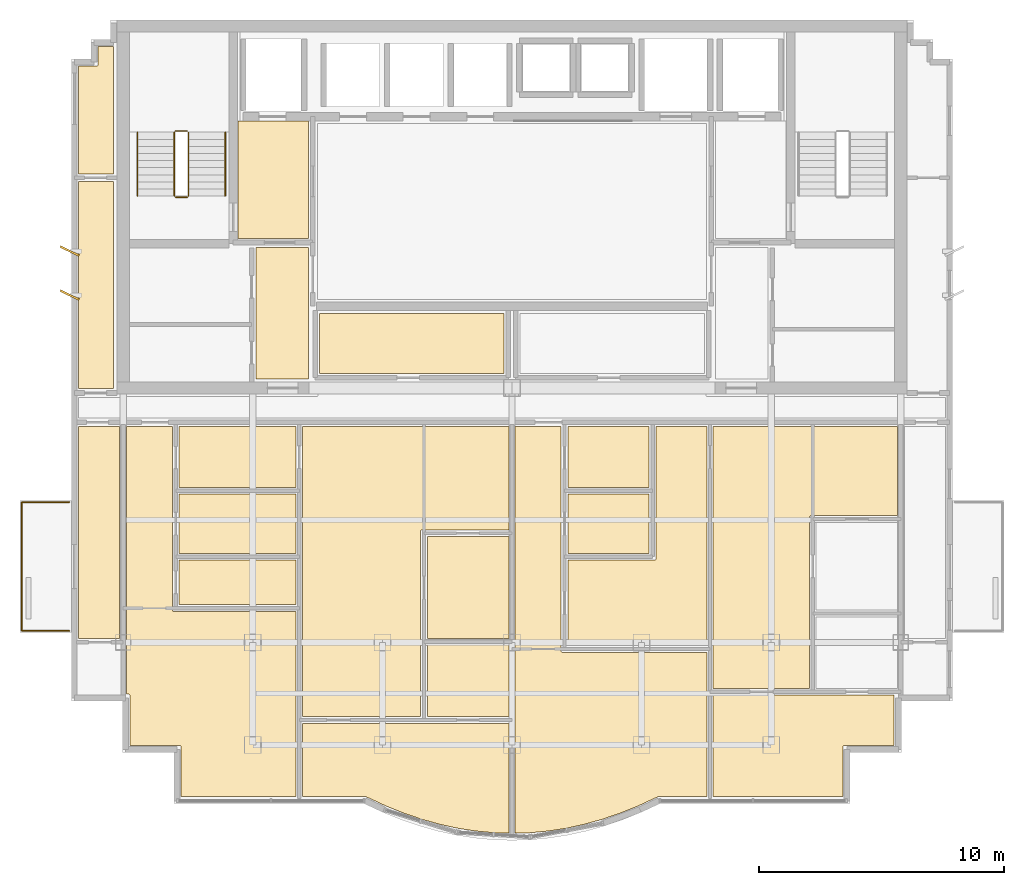
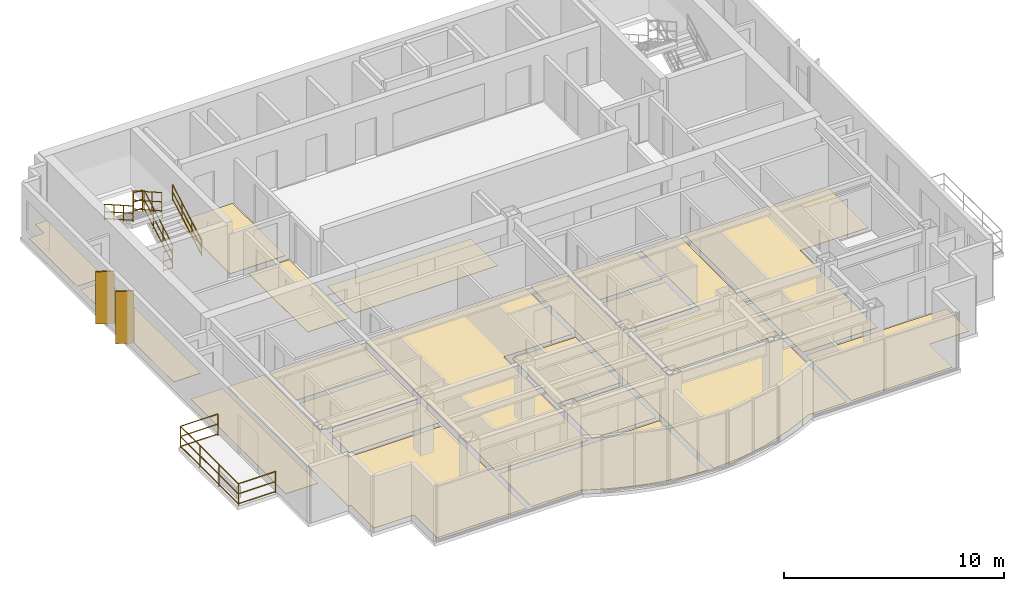
# One storey, part 8 of 9: 20 coverings, 7 railings, 2 shading devices.
"""IFC4 building model written with IfcOpenShell, lengths in metres."""

from ifc_helpers import new_model, si_unit, direction, frame, origin, origin_2d, place, context, subcontext, project, spatial, polyline, rectangle, circle, outline, extrude, source, transform, mapped, material, layer, layer_set, type_object, element, save


model = new_model("IFC4")

# Units and contexts
model_context = context("Model", 3, precision=1e-05, world=origin(), true_north=direction((0.0, 1.0)))
body_context = subcontext(model_context, "Body", "Model", "MODEL_VIEW")
ifc_project = project(units=[si_unit("LENGTHUNIT", "METRE"), si_unit("AREAUNIT", "SQUARE_METRE"), si_unit("VOLUMEUNIT", "CUBIC_METRE"), si_unit("PLANEANGLEUNIT", "RADIAN"), si_unit("MASSUNIT", "GRAM", prefix="KILO")], contexts=[model_context])

# Site, building, storey
site_placement = place(None, origin())
site = spatial("IfcSite", under=ifc_project, at=site_placement, CompositionType="ELEMENT")
building_placement = place(site_placement, origin())
building = spatial("IfcBuilding", under=site, at=building_placement, Name="Qianlan Lanfeng Residences", CompositionType="ELEMENT")
storey_placement = place(building_placement, frame((0.0, 0.0, 249.5)))
storey = spatial("IfcBuildingStorey", under=building, at=storey_placement, Name="L69", CompositionType="ELEMENT", Elevation=249.5)

# Coverings
ifc_material_1 = material(Name="Honed Taitung Granite Stone Flooring", Category="masonry")
ifc_layer_1 = layer(ifc_material_1, 0.030029296875)
ifc_layer_set_1 = layer_set([ifc_layer_1], Name="Honed Taitung Granite Stone Flooring")
covering_type_1 = type_object("IfcCoveringType", Name="FLR-STN-30", PredefinedType="FLOORING", material=ifc_layer_set_1)
covering_1_placement = place(storey_placement, origin())
element("IfcCovering", 1, at=covering_1_placement, inside=storey, type_object=covering_type_1, Name="L69 Firefighting Lift Lobby Floor Finish", PredefinedType="FLOORING", context=body_context, shape_type="SweptSolid", body=[
    extrude(outline(polyline([(15.2900390625, 31.320068359375), (18.179931640625, 31.320068359375), (18.179931640625, 36.110107421875), (15.2900390625, 36.110107421875), (15.2900390625, 31.320068359375)])), origin(), (0.0, 0.0, 1.0), 0.030029296875),
])
covering_2_placement = place(storey_placement, origin())
element("IfcCovering", 2, at=covering_2_placement, inside=storey, type_object=covering_type_1, Name="L69 Lift Lobby Floor Finish", PredefinedType="FLOORING", context=body_context, shape_type="SweptSolid", body=[
    extrude(outline(polyline([(16.030029296875, 25.56005859375), (18.169921875, 25.56005859375), (18.169921875, 30.949951171875), (16.030029296875, 30.949951171875), (16.030029296875, 25.56005859375)])), origin(), (0.0, 0.0, 1.0), 0.030029296875),
])
ifc_material_2 = material(Name="Slip-Resistant Porcelain Tile Flooring")
ifc_layer_2 = layer(ifc_material_2, 0.02001953125)
ifc_layer_set_2 = layer_set([ifc_layer_2], Name="Slip-Resistant Porcelain Tile Flooring")
covering_type_2 = type_object("IfcCoveringType", Name="FLR-TIL-20", PredefinedType="FLOORING", material=ifc_layer_set_2)
covering_3_placement = place(storey_placement, origin())
element("IfcCovering", 3, at=covering_3_placement, inside=storey, type_object=covering_type_2, Name="L69 Kitchen Floor Finish", PredefinedType="FLOORING", context=body_context, shape_type="SweptSolid", body=[
    extrude(outline(polyline([(12.889892578125, 18.43994140625), (17.659912109375, 18.43994140625), (17.659912109375, 20.860107421875), (12.889892578125, 20.860107421875), (12.889892578125, 18.43994140625)])), origin(), (0.0, 0.0, 1.0), 0.02001953125),
])
covering_4_placement = place(storey_placement, origin())
element("IfcCovering", 4, at=covering_4_placement, inside=storey, type_object=covering_type_2, Name="L69 Bathroom Floor Finish", PredefinedType="FLOORING", context=body_context, shape_type="SweptSolid", body=[
    extrude(outline(polyline([(12.889892578125, 21.139892578125), (17.659912109375, 21.139892578125), (17.659912109375, 23.6298828125), (12.889892578125, 23.6298828125), (12.889892578125, 21.139892578125)])), origin(), (0.0, 0.0, 1.0), 0.02001953125),
])
covering_5_placement = place(storey_placement, origin())
element("IfcCovering", 5, at=covering_5_placement, inside=storey, type_object=covering_type_2, Name="L69 En-Suite Bathroom Floor Finish", PredefinedType="FLOORING", context=body_context, shape_type="SweptSolid", body=[
    extrude(outline(polyline([(23.0400390625, 11.762939453125), (26.3701171875, 11.762939453125), (26.3701171875, 14.68310546875), (23.0400390625, 14.68310546875), (23.0400390625, 11.762939453125)])), origin(), (0.0, 0.0, 1.0), 0.02001953125),
])
covering_6_placement = place(storey_placement, origin())
element("IfcCovering", 6, at=covering_6_placement, inside=storey, type_object=covering_type_2, Name="L69 Kitchen Floor Finish", PredefinedType="FLOORING", context=body_context, shape_type="SweptSolid", body=[
    extrude(outline(polyline([(28.7900390625, 18.43994140625), (32.110107421875, 18.43994140625), (32.110107421875, 20.860107421875), (28.7900390625, 20.860107421875), (28.7900390625, 18.43994140625)])), origin(), (0.0, 0.0, 1.0), 0.02001953125),
])
covering_7_placement = place(storey_placement, origin())
element("IfcCovering", 7, at=covering_7_placement, inside=storey, type_object=covering_type_2, Name="L69 Bathroom Floor Finish", PredefinedType="FLOORING", context=body_context, shape_type="SweptSolid", body=[
    extrude(outline(polyline([(28.7900390625, 21.139892578125), (32.110107421875, 21.139892578125), (32.110107421875, 23.6298828125), (28.7900390625, 23.6298828125), (28.7900390625, 21.139892578125)])), origin(), (0.0, 0.0, 1.0), 0.02001953125),
])
ifc_material_3 = material(Name="Engineered Smoked Oak Timber Flooring", Category="wood")
ifc_layer_3 = layer(ifc_material_3, 0.02197265625)
ifc_layer_set_3 = layer_set([ifc_layer_3], Name="Engineered Smoked Oak Timber Flooring")
covering_type_3 = type_object("IfcCoveringType", Name="FLR-TIM-22", PredefinedType="FLOORING", material=ifc_layer_set_3)
covering_8_placement = place(storey_placement, origin())
element("IfcCovering", 8, at=covering_8_placement, inside=storey, type_object=covering_type_3, Name="L69 Resident Study Salon Floor Finish", PredefinedType="FLOORING", context=body_context, shape_type="SweptSolid", body=[
    extrude(outline(polyline([(18.6298828125, 25.800048828125), (26.169921875, 25.800048828125), (26.169921875, 28.2548828125), (18.6298828125, 28.2548828125), (18.6298828125, 25.800048828125)])), origin(), (0.0, 0.0, 1.0), 0.02197265625),
])
covering_9_placement = place(storey_placement, origin())
element("IfcCovering", 9, at=covering_9_placement, inside=storey, type_object=covering_type_3, Name="L69 Living and Dining Room Floor Finish", PredefinedType="FLOORING", context=body_context, shape_type="SweptSolid", body=[
    extrude(outline(polyline([(17.669921875, 8.489990234375), (17.669921875, 16.05810546875), (12.679931640625, 16.05810546875), (12.673095703125, 16.05810546875), (12.666015625, 16.05908203125), (12.659912109375, 16.06103515625), (12.653076171875, 16.06298828125), (12.64697265625, 16.06591796875), (12.64111328125, 16.070068359375), (12.635986328125, 16.073974609375), (12.631103515625, 16.0791015625), (12.6259765625, 16.083984375), (12.6220703125, 16.089111328125), (12.617919921875, 16.094970703125), (12.614990234375, 16.10107421875), (12.613037109375, 16.10791015625), (12.611083984375, 16.114013671875), (12.610107421875, 16.12109375), (12.610107421875, 16.1279296875), (12.610107421875, 23.6298828125), (10.72998046875, 23.6298828125), (10.72998046875, 12.68994140625), (10.800048828125, 12.68994140625), (10.806884765625, 12.68994140625), (10.81396484375, 12.68896484375), (10.820068359375, 12.68701171875), (10.826904296875, 12.68505859375), (10.8330078125, 12.681884765625), (10.839111328125, 12.677978515625), (10.843994140625, 12.674072265625), (10.84912109375, 12.6689453125), (10.85400390625, 12.6640625), (10.85791015625, 12.658935546875), (10.862060546875, 12.653076171875), (10.864990234375, 12.64697265625), (10.866943359375, 12.639892578125), (10.868896484375, 12.634033203125), (10.8701171875, 12.626953125), (10.8701171875, 12.6201171875), (10.8701171875, 10.590087890625), (12.89990234375, 10.590087890625), (12.906982421875, 10.590087890625), (12.9140625, 10.589111328125), (12.919921875, 10.5869140625), (12.927001953125, 10.5849609375), (12.93310546875, 10.58203125), (12.93896484375, 10.577880859375), (12.944091796875, 10.573974609375), (12.948974609375, 10.569091796875), (12.9541015625, 10.56396484375), (12.9580078125, 10.55908203125), (12.9619140625, 10.552978515625), (12.965087890625, 10.547119140625), (12.967041015625, 10.5400390625), (12.968994140625, 10.533935546875), (12.969970703125, 10.527099609375), (12.969970703125, 10.52001953125), (12.969970703125, 8.489990234375), (17.669921875, 8.489990234375)])), origin(), (0.0, 0.0, 1.0), 0.02197265625),
])
covering_10_placement = place(storey_placement, origin())
element("IfcCovering", 10, at=covering_10_placement, inside=storey, type_object=covering_type_3, Name="L69 Private Study Floor Finish", PredefinedType="FLOORING", context=body_context, shape_type="SweptSolid", body=[
    extrude(outline(polyline([(12.889892578125, 18.159912109375), (12.889892578125, 16.337890625), (17.669921875, 16.337890625), (17.669921875, 18.159912109375), (12.889892578125, 18.159912109375)])), origin(), (0.0, 0.0, 1.0), 0.02197265625),
])
covering_11_placement = place(storey_placement, origin())
element("IfcCovering", 11, at=covering_11_placement, inside=storey, type_object=covering_type_3, Name="L69 Private Study Floor Finish", PredefinedType="FLOORING", context=body_context, shape_type="SweptSolid", body=[
    extrude(outline(polyline([(23.0400390625, 14.962890625), (26.3701171875, 14.962890625), (26.3701171875, 19.12109375), (23.0400390625, 19.12109375), (23.0400390625, 14.962890625)])), origin(), (0.0, 0.0, 1.0), 0.02197265625),
])
covering_12_placement = place(storey_placement, origin())
element("IfcCovering", 12, at=covering_12_placement, inside=storey, type_object=covering_type_3, Name="L69 Villa Family Sitting Room Floor Finish", PredefinedType="FLOORING", context=body_context, shape_type="SweptSolid", body=[
    extrude(outline(polyline([(17.929931640625, 11.762939453125), (22.760009765625, 11.762939453125), (22.760009765625, 19.3310546875), (22.760009765625, 19.337890625), (22.760986328125, 19.344970703125), (22.762939453125, 19.35107421875), (22.764892578125, 19.35791015625), (22.76806640625, 19.364013671875), (22.77197265625, 19.3701171875), (22.77587890625, 19.375), (22.781005859375, 19.3798828125), (22.785888671875, 19.385009765625), (22.791015625, 19.388916015625), (22.797119140625, 19.39306640625), (22.802978515625, 19.39599609375), (22.81005859375, 19.39794921875), (22.81591796875, 19.39990234375), (22.822998046875, 19.40087890625), (22.830078125, 19.40087890625), (26.3701171875, 19.40087890625), (26.3701171875, 23.6298828125), (17.929931640625, 23.6298828125), (17.929931640625, 11.762939453125)])), origin(), (0.0, 0.0, 1.0), 0.02197265625),
])
covering_13_placement = place(storey_placement, origin())
element("IfcCovering", 13, at=covering_13_placement, inside=storey, type_object=covering_type_3, Name="L69 Master Bedroom Floor Finish", PredefinedType="FLOORING", context=body_context, shape_type="SweptSolid", body=[
    extrude(outline(polyline([(17.929931640625, 11.48291015625), (17.929931640625, 8.489990234375), (20.509033203125, 8.489990234375), (20.51611328125, 8.489990234375), (20.52392578125, 8.488037109375), (20.531005859375, 8.486083984375), (20.5380859375, 8.48291015625), (21.3310546875, 8.114013671875), (22.071044921875, 7.81591796875), (22.81103515625, 7.56298828125), (23.550048828125, 7.35693359375), (24.2880859375, 7.196044921875), (25.02587890625, 7.08203125), (25.762939453125, 7.012939453125), (26.3701171875, 6.993896484375), (26.3701171875, 11.48291015625), (17.929931640625, 11.48291015625)])), origin(), (0.0, 0.0, 1.0), 0.02197265625),
])
covering_14_placement = place(storey_placement, origin())
element("IfcCovering", 14, at=covering_14_placement, inside=storey, type_object=covering_type_3, Name="L69 Living and Dining Room Floor Finish", PredefinedType="FLOORING", context=body_context, shape_type="SweptSolid", body=[
    extrude(outline(polyline([(34.469970703125, 8.489990234375), (34.469970703125, 14.385986328125), (28.580078125, 14.385986328125), (28.572998046875, 14.385986328125), (28.56591796875, 14.386962890625), (28.56005859375, 14.388916015625), (28.552978515625, 14.39111328125), (28.547119140625, 14.39404296875), (28.541015625, 14.39794921875), (28.535888671875, 14.402099609375), (28.531005859375, 14.406982421875), (28.52587890625, 14.412109375), (28.52197265625, 14.4169921875), (28.51806640625, 14.423095703125), (28.514892578125, 14.428955078125), (28.512939453125, 14.43603515625), (28.510986328125, 14.44189453125), (28.510009765625, 14.448974609375), (28.510009765625, 14.4560546875), (28.510009765625, 23.6298828125), (26.6298828125, 23.6298828125), (26.6298828125, 6.993896484375), (27.237060546875, 7.012939453125), (27.97412109375, 7.08203125), (28.7119140625, 7.196044921875), (29.449951171875, 7.35693359375), (30.18896484375, 7.56298828125), (30.928955078125, 7.81591796875), (31.6689453125, 8.114013671875), (32.4619140625, 8.48291015625), (32.468994140625, 8.486083984375), (32.47607421875, 8.488037109375), (32.48388671875, 8.489990234375), (32.490966796875, 8.489990234375), (34.469970703125, 8.489990234375)])), origin(), (0.0, 0.0, 1.0), 0.02197265625),
])
covering_15_placement = place(storey_placement, origin())
element("IfcCovering", 15, at=covering_15_placement, inside=storey, type_object=covering_type_3, Name="L69 Villa Family Sitting Room Floor Finish", PredefinedType="FLOORING", context=body_context, shape_type="SweptSolid", body=[
    extrude(outline(polyline([(28.7900390625, 14.666015625), (34.469970703125, 14.666015625), (34.469970703125, 23.6298828125), (32.389892578125, 23.6298828125), (32.389892578125, 18.22998046875), (32.389892578125, 18.222900390625), (32.388916015625, 18.216064453125), (32.386962890625, 18.2099609375), (32.385009765625, 18.202880859375), (32.382080078125, 18.197021484375), (32.3779296875, 18.19091796875), (32.3740234375, 18.18603515625), (32.368896484375, 18.180908203125), (32.364013671875, 18.176025390625), (32.35888671875, 18.172119140625), (32.35302734375, 18.16796875), (32.346923828125, 18.1650390625), (32.340087890625, 18.1630859375), (32.333984375, 18.160888671875), (32.326904296875, 18.159912109375), (32.320068359375, 18.159912109375), (28.7900390625, 18.159912109375), (28.7900390625, 14.666015625)])), origin(), (0.0, 0.0, 1.0), 0.02197265625),
])
covering_16_placement = place(storey_placement, origin())
element("IfcCovering", 16, at=covering_16_placement, inside=storey, type_object=covering_type_3, Name="L69 Villa Family Sitting Room Floor Finish", PredefinedType="FLOORING", context=body_context, shape_type="SweptSolid", body=[
    extrude(outline(polyline([(34.72998046875, 12.9189453125), (38.659912109375, 12.9189453125), (38.659912109375, 19.909912109375), (38.659912109375, 19.9169921875), (38.660888671875, 19.924072265625), (38.6630859375, 19.929931640625), (38.6650390625, 19.93701171875), (38.66796875, 19.943115234375), (38.672119140625, 19.948974609375), (38.676025390625, 19.9541015625), (38.680908203125, 19.958984375), (38.68603515625, 19.964111328125), (38.69091796875, 19.968017578125), (38.697021484375, 19.971923828125), (38.702880859375, 19.97509765625), (38.7099609375, 19.97705078125), (38.716064453125, 19.97900390625), (38.722900390625, 19.97998046875), (38.72998046875, 19.97998046875), (42.27001953125, 19.97998046875), (42.27001953125, 23.6298828125), (34.72998046875, 23.6298828125), (34.72998046875, 12.9189453125)])), origin(), (0.0, 0.0, 1.0), 0.02197265625),
])
covering_17_placement = place(storey_placement, origin())
element("IfcCovering", 17, at=covering_17_placement, inside=storey, type_object=covering_type_3, Name="L69 Master Bedroom Floor Finish", PredefinedType="FLOORING", context=body_context, shape_type="SweptSolid", body=[
    extrude(outline(polyline([(34.72998046875, 12.638916015625), (34.72998046875, 8.489990234375), (40.030029296875, 8.489990234375), (40.030029296875, 10.52001953125), (40.030029296875, 10.527099609375), (40.031005859375, 10.533935546875), (40.032958984375, 10.5400390625), (40.034912109375, 10.547119140625), (40.0380859375, 10.552978515625), (40.0419921875, 10.55908203125), (40.0458984375, 10.56396484375), (40.051025390625, 10.569091796875), (40.055908203125, 10.573974609375), (40.06103515625, 10.577880859375), (40.06689453125, 10.58203125), (40.072998046875, 10.5849609375), (40.080078125, 10.5869140625), (40.0859375, 10.589111328125), (40.093017578125, 10.590087890625), (40.10009765625, 10.590087890625), (42.1298828125, 10.590087890625), (42.1298828125, 12.6201171875), (42.1298828125, 12.626953125), (42.131103515625, 12.634033203125), (42.133056640625, 12.638916015625), (34.72998046875, 12.638916015625)])), origin(), (0.0, 0.0, 1.0), 0.02197265625),
])
covering_18_placement = place(storey_placement, origin())
element("IfcCovering", 18, at=covering_18_placement, inside=storey, type_object=covering_type_3, Name="L69 Family Sitting Room Floor Finish", PredefinedType="FLOORING", context=body_context, shape_type="SweptSolid", body=[
    extrude(outline(polyline([(10.43994140625, 23.6298828125), (8.77001953125, 23.6298828125), (8.77001953125, 14.949951171875), (10.43994140625, 14.949951171875), (10.43994140625, 23.6298828125)])), origin(), (0.0, 0.0, 1.0), 0.02197265625),
])
covering_19_placement = place(storey_placement, origin())
element("IfcCovering", 19, at=covering_19_placement, inside=storey, type_object=covering_type_3, Name="L69 Gallery Salon Floor Finish", PredefinedType="FLOORING", context=body_context, shape_type="SweptSolid", body=[
    extrude(outline(polyline([(10.199951171875, 33.64990234375), (8.77001953125, 33.64990234375), (8.77001953125, 25.179931640625), (10.199951171875, 25.179931640625), (10.199951171875, 33.64990234375)])), origin(), (0.0, 0.0, 1.0), 0.02197265625),
])
covering_20_placement = place(storey_placement, origin())
element("IfcCovering", 20, at=covering_20_placement, inside=storey, type_object=covering_type_3, Name="L69 Resident Lounge Floor Finish", PredefinedType="FLOORING", context=body_context, shape_type="SweptSolid", body=[
    extrude(outline(polyline([(8.77001953125, 33.949951171875), (10.199951171875, 33.949951171875), (10.199951171875, 39.159912109375), (9.570068359375, 39.159912109375), (9.570068359375, 38.429931640625), (9.570068359375, 38.423095703125), (9.569091796875, 38.416015625), (9.56689453125, 38.409912109375), (9.56494140625, 38.403076171875), (9.56201171875, 38.39697265625), (9.55810546875, 38.39111328125), (9.553955078125, 38.385986328125), (9.549072265625, 38.381103515625), (9.5439453125, 38.3759765625), (9.5390625, 38.3720703125), (9.532958984375, 38.367919921875), (9.527099609375, 38.364990234375), (9.52001953125, 38.363037109375), (9.513916015625, 38.361083984375), (9.507080078125, 38.360107421875), (9.5, 38.360107421875), (8.77001953125, 38.360107421875), (8.77001953125, 33.949951171875)])), origin(), (0.0, 0.0, 1.0), 0.02197265625),
])

# Railings
ifc_material_4 = material(Name="Anodised Bronze Aluminium and Laminated Glass Guard Balustrade", Category="aluminium")
railing_type_1 = type_object("IfcRailingType", Name="GR-EXT-1220", PredefinedType="BALUSTRADE", material=ifc_material_4)
railing_1_placement = place(storey_placement, frame((8.409912109375, 15.27001953125, 0.0)))
element("IfcRailing", 21, at=railing_1_placement, inside=storey, type_object=railing_type_1, Name="L69 Terrace Safety Guard GR-L69-WB-S", PredefinedType="BALUSTRADE", context=body_context, shape_type="SweptSolid", body=[
    extrude(circle(Radius=0.02490234375, at=origin_2d()), frame((0.0, 0.0, 0.0849609375), z_axis=(-1.0, 0.0, 0.0), x_axis=(0.0, -1.0, 0.0)), (0.0, 0.0, 1.0), 1.9599609375),
    extrude(circle(Radius=0.02490234375, at=origin_2d()), frame((0.0, 0.0, 0.63427734375), z_axis=(-1.0, 0.0, 0.0), x_axis=(0.0, -1.0, 0.0)), (0.0, 0.0, 1.0), 1.9599609375),
    extrude(circle(Radius=0.02490234375, at=origin_2d()), frame((0.0, 0.0, 1.19482421875), z_axis=(-1.0, 0.0, 0.0), x_axis=(0.0, -1.0, 0.0)), (0.0, 0.0, 1.0), 1.9599609375),
    extrude(circle(Radius=0.02490234375, at=origin_2d()), frame((-1.9599609375, 0.0, 0.0849609375), z_axis=(0.0, 1.0, 0.0), x_axis=(-1.0, 0.0, 0.0)), (0.0, 0.0, 1.0), 5.260009765625),
    extrude(circle(Radius=0.02490234375, at=origin_2d()), frame((-1.9599609375, 0.0, 0.63427734375), z_axis=(0.0, 1.0, 0.0), x_axis=(-1.0, 0.0, 0.0)), (0.0, 0.0, 1.0), 5.260009765625),
    extrude(circle(Radius=0.02490234375, at=origin_2d()), frame((-1.9599609375, 0.0, 1.19482421875), z_axis=(0.0, 1.0, 0.0), x_axis=(-1.0, 0.0, 0.0)), (0.0, 0.0, 1.0), 5.260009765625),
    extrude(circle(Radius=0.02490234375, at=origin_2d()), frame((-1.9599609375, 5.260009765625, 0.0849609375), z_axis=(1.0, 0.0, 0.0), x_axis=(0.0, 1.0, 0.0)), (0.0, 0.0, 1.0), 1.9599609375),
    extrude(circle(Radius=0.02490234375, at=origin_2d()), frame((-1.9599609375, 5.260009765625, 0.63427734375), z_axis=(1.0, 0.0, 0.0), x_axis=(0.0, 1.0, 0.0)), (0.0, 0.0, 1.0), 1.9599609375),
    extrude(circle(Radius=0.02490234375, at=origin_2d()), frame((-1.9599609375, 5.260009765625, 1.19482421875), z_axis=(1.0, 0.0, 0.0), x_axis=(0.0, 1.0, 0.0)), (0.0, 0.0, 1.0), 1.9599609375),
    extrude(circle(Radius=0.02099609375, at=origin_2d()), origin(), (0.0, 0.0, 1.0), 1.169921875),
    extrude(circle(Radius=0.02099609375, at=origin_2d()), frame((-1.9599609375, 0.0, 0.0)), (0.0, 0.0, 1.0), 1.169921875),
    extrude(circle(Radius=0.02099609375, at=origin_2d()), frame((-1.9599609375, 1.75341796875, 0.0)), (0.0, 0.0, 1.0), 1.169921875),
    extrude(circle(Radius=0.02099609375, at=origin_2d()), frame((-1.9599609375, 3.506591796875, 0.0)), (0.0, 0.0, 1.0), 1.169921875),
    extrude(circle(Radius=0.02099609375, at=origin_2d()), frame((-1.9599609375, 5.260009765625, 0.0)), (0.0, 0.0, 1.0), 1.169921875),
    extrude(circle(Radius=0.02099609375, at=origin_2d()), frame((0.0, 5.260009765625, 0.0)), (0.0, 0.0, 1.0), 1.169921875),
])
ifc_material_5 = material(Name="Painted Galvanised Steel Guardrail", Category="steel")
railing_type_2 = type_object("IfcRailingType", Name="GR-ST-1120", PredefinedType="GUARDRAIL", material=ifc_material_5)
railing_2_placement = place(storey_placement, frame((13.27001953125, 33.050048828125, 0.1650390625)))
element("IfcRailing", 22, at=railing_2_placement, inside=storey, type_object=railing_type_2, Name="L69 ST-1 stair guard 1", PredefinedType="GUARDRAIL", context=body_context, shape_type="SweptSolid", body=[
    extrude(circle(Radius=0.02392578125, at=origin_2d()), frame((0.0, 0.0, 0.083984375), z_axis=(0.0, 0.869172267526, 0.494509422927), x_axis=(-1.0, 0.0, 0.0)), (0.0, 0.0, 1.0), 3.002685546875),
    extrude(circle(Radius=0.02392578125, at=origin_2d()), frame((0.0, 0.0, 0.58251953125), z_axis=(0.0, 0.869172267526, 0.494509422927), x_axis=(-1.0, 0.0, 0.0)), (0.0, 0.0, 1.0), 3.002685546875),
    extrude(circle(Radius=0.02392578125, at=origin_2d()), frame((0.0, 0.0, 1.09619140625), z_axis=(0.0, 0.869172267526, 0.494509422927), x_axis=(-1.0, 0.0, 0.0)), (0.0, 0.0, 1.0), 3.002685546875),
    extrude(circle(Radius=0.02099609375, at=origin_2d()), origin(), (0.0, 0.0, 1.0), 1.072021484375),
    extrude(circle(Radius=0.02099609375, at=origin_2d()), frame((0.0, 0.869873046875, 0.494873046875)), (0.0, 0.0, 1.0), 1.072021484375),
    extrude(circle(Radius=0.02099609375, at=origin_2d()), frame((0.0, 1.739990234375, 0.989990234375)), (0.0, 0.0, 1.0), 1.072021484375),
    extrude(circle(Radius=0.02099609375, at=origin_2d()), frame((0.0, 2.60986328125, 1.48486328125)), (0.0, 0.0, 1.0), 1.072021484375),
])
railing_3_placement = place(storey_placement, frame((13.219970703125, 35.7099609375, 1.64990234375)))
element("IfcRailing", 23, at=railing_3_placement, inside=storey, type_object=railing_type_2, Name="L69 ST-1 stair guard 2", PredefinedType="GUARDRAIL", context=body_context, shape_type="SweptSolid", body=[
    extrude(circle(Radius=0.02392578125, at=origin_2d()), frame((0.0, 0.0, 0.083984375), z_axis=(-1.0, 0.0, 0.0), x_axis=(0.0, -1.0, 0.0)), (0.0, 0.0, 1.0), 0.47998046875),
    extrude(circle(Radius=0.02392578125, at=origin_2d()), frame((0.0, 0.0, 0.58251953125), z_axis=(-1.0, 0.0, 0.0), x_axis=(0.0, -1.0, 0.0)), (0.0, 0.0, 1.0), 0.47998046875),
    extrude(circle(Radius=0.02392578125, at=origin_2d()), frame((0.0, 0.0, 1.09619140625), z_axis=(-1.0, 0.0, 0.0), x_axis=(0.0, -1.0, 0.0)), (0.0, 0.0, 1.0), 0.47998046875),
    extrude(circle(Radius=0.02099609375, at=origin_2d()), origin(), (0.0, 0.0, 1.0), 1.072021484375),
    extrude(circle(Radius=0.02099609375, at=origin_2d()), frame((-0.47998046875, 0.0, 0.0)), (0.0, 0.0, 1.0), 1.072021484375),
])
railing_4_placement = place(storey_placement, frame((12.68994140625, 35.659912109375, 1.81494140625)))
element("IfcRailing", 24, at=railing_4_placement, inside=storey, type_object=railing_type_2, Name="L69 ST-1 stair guard 3", PredefinedType="GUARDRAIL", context=body_context, shape_type="SweptSolid", body=[
    extrude(circle(Radius=0.02392578125, at=origin_2d()), frame((0.0, 0.0, 0.083984375), z_axis=(0.0, -0.869137319866, 0.494570843475), x_axis=(1.0, 0.0, 0.0)), (0.0, 0.0, 1.0), 3.0029296875),
    extrude(circle(Radius=0.02392578125, at=origin_2d()), frame((0.0, 0.0, 0.58251953125), z_axis=(0.0, -0.869137319866, 0.494570843475), x_axis=(1.0, 0.0, 0.0)), (0.0, 0.0, 1.0), 3.0029296875),
    extrude(circle(Radius=0.02392578125, at=origin_2d()), frame((0.0, 0.0, 1.09619140625), z_axis=(0.0, -0.869137319866, 0.494570843475), x_axis=(1.0, 0.0, 0.0)), (0.0, 0.0, 1.0), 3.0029296875),
    extrude(circle(Radius=0.02099609375, at=origin_2d()), origin(), (0.0, 0.0, 1.0), 1.072021484375),
    extrude(circle(Radius=0.02099609375, at=origin_2d()), frame((0.0, -0.869873046875, 0.4951171875)), (0.0, 0.0, 1.0), 1.072021484375),
    extrude(circle(Radius=0.02099609375, at=origin_2d()), frame((0.0, -1.739990234375, 0.989990234375)), (0.0, 0.0, 1.0), 1.072021484375),
    extrude(circle(Radius=0.02099609375, at=origin_2d()), frame((0.0, -2.60986328125, 1.485107421875)), (0.0, 0.0, 1.0), 1.072021484375),
])
railing_5_placement = place(storey_placement, frame((13.219970703125, 33.0, 0.0)))
element("IfcRailing", 25, at=railing_5_placement, inside=storey, type_object=railing_type_2, Name="L69 ST-1 stair guard 4", PredefinedType="GUARDRAIL", context=body_context, shape_type="SweptSolid", body=[
    extrude(circle(Radius=0.02392578125, at=origin_2d()), frame((0.0, 0.0, 0.083984375), z_axis=(-1.0, 0.0, 0.0), x_axis=(0.0, -1.0, 0.0)), (0.0, 0.0, 1.0), 0.47998046875),
    extrude(circle(Radius=0.02392578125, at=origin_2d()), frame((0.0, 0.0, 0.58251953125), z_axis=(-1.0, 0.0, 0.0), x_axis=(0.0, -1.0, 0.0)), (0.0, 0.0, 1.0), 0.47998046875),
    extrude(circle(Radius=0.02392578125, at=origin_2d()), frame((0.0, 0.0, 1.09619140625), z_axis=(-1.0, 0.0, 0.0), x_axis=(0.0, -1.0, 0.0)), (0.0, 0.0, 1.0), 0.47998046875),
    extrude(circle(Radius=0.02099609375, at=origin_2d()), origin(), (0.0, 0.0, 1.0), 1.072021484375),
    extrude(circle(Radius=0.02099609375, at=origin_2d()), frame((-0.47998046875, 0.0, 0.0)), (0.0, 0.0, 1.0), 1.072021484375),
])
ifc_material_6 = material(Name="Brushed Stainless Steel Handrail", Category="steel")
railing_type_3 = type_object("IfcRailingType", Name="HR-ST-920", PredefinedType="HANDRAIL", material=ifc_material_6)
railing_6_placement = place(storey_placement, frame((14.77001953125, 33.050048828125, 0.1650390625)))
element("IfcRailing", 26, at=railing_6_placement, inside=storey, type_object=railing_type_3, Name="L69 ST-1 stair handrail 1", PredefinedType="HANDRAIL", context=body_context, shape_type="SweptSolid", body=[
    extrude(circle(Radius=0.02392578125, at=origin_2d()), frame((0.0, 0.0, 0.083984375), z_axis=(0.0, 0.869172267526, 0.494509422927), x_axis=(-1.0, 0.0, 0.0)), (0.0, 0.0, 1.0), 3.002685546875),
    extrude(circle(Radius=0.02392578125, at=origin_2d()), frame((0.0, 0.0, 0.468017578125), z_axis=(0.0, 0.869172267526, 0.494509422927), x_axis=(-1.0, 0.0, 0.0)), (0.0, 0.0, 1.0), 3.002685546875),
    extrude(circle(Radius=0.02392578125, at=origin_2d()), frame((0.0, 0.0, 0.8759765625), z_axis=(0.0, 0.869172267526, 0.494509422927), x_axis=(-1.0, 0.0, 0.0)), (0.0, 0.0, 1.0), 3.002685546875),
    extrude(circle(Radius=0.02099609375, at=origin_2d()), origin(), (0.0, 0.0, 1.0), 0.851806640625),
    extrude(circle(Radius=0.02099609375, at=origin_2d()), frame((0.0, 0.869873046875, 0.494873046875)), (0.0, 0.0, 1.0), 0.851806640625),
    extrude(circle(Radius=0.02099609375, at=origin_2d()), frame((0.0, 1.739990234375, 0.989990234375)), (0.0, 0.0, 1.0), 0.851806640625),
    extrude(circle(Radius=0.02099609375, at=origin_2d()), frame((0.0, 2.60986328125, 1.48486328125)), (0.0, 0.0, 1.0), 0.851806640625),
])
railing_7_placement = place(storey_placement, frame((11.18994140625, 35.659912109375, 1.81494140625)))
element("IfcRailing", 27, at=railing_7_placement, inside=storey, type_object=railing_type_3, Name="L69 ST-1 stair handrail 2", PredefinedType="HANDRAIL", context=body_context, shape_type="SweptSolid", body=[
    extrude(circle(Radius=0.02392578125, at=origin_2d()), frame((0.0, 0.0, 0.083984375), z_axis=(0.0, -0.869137319866, 0.494570843475), x_axis=(1.0, 0.0, 0.0)), (0.0, 0.0, 1.0), 3.0029296875),
    extrude(circle(Radius=0.02392578125, at=origin_2d()), frame((0.0, 0.0, 0.468017578125), z_axis=(0.0, -0.869137319866, 0.494570843475), x_axis=(1.0, 0.0, 0.0)), (0.0, 0.0, 1.0), 3.0029296875),
    extrude(circle(Radius=0.02392578125, at=origin_2d()), frame((0.0, 0.0, 0.8759765625), z_axis=(0.0, -0.869137319866, 0.494570843475), x_axis=(1.0, 0.0, 0.0)), (0.0, 0.0, 1.0), 3.0029296875),
    extrude(circle(Radius=0.02099609375, at=origin_2d()), origin(), (0.0, 0.0, 1.0), 0.851806640625),
    extrude(circle(Radius=0.02099609375, at=origin_2d()), frame((0.0, -0.869873046875, 0.4951171875)), (0.0, 0.0, 1.0), 0.851806640625),
    extrude(circle(Radius=0.02099609375, at=origin_2d()), frame((0.0, -1.739990234375, 0.989990234375)), (0.0, 0.0, 1.0), 0.851806640625),
    extrude(circle(Radius=0.02099609375, at=origin_2d()), frame((0.0, -2.60986328125, 1.485107421875)), (0.0, 0.0, 1.0), 0.851806640625),
])

# Shading devices
ifc_material_7 = material(Name="Anodised Bronze Aluminium Solar Fin", Category="aluminium")
shading_device_type = type_object("IfcShadingDeviceType", Name="FIN-BRZ-850", PredefinedType="SHUTTER", material=ifc_material_7)
shared_shape = source(origin(), body_context, "Body", "SweptSolid", [
    extrude(rectangle(XDim=0.85009765625, YDim=0.080078125, at=origin_2d()), origin(), (0.0, 0.0, 1.0), 2.89990234375),
])
for number, where, z_axis, x_axis, name in (
    (28, (8.409912109375, 29.0, 0.0), (0.0, 0.0, 1.0), (0.898794046299, -0.438371146789, 0.0), "L69 Raked Bronze Solar Fin W1"),
    (29, (8.409912109375, 30.800048828125, 0.0), (0.0, 0.0, 1.0), (0.898794046299, -0.438371146789, 0.0), "L69 Raked Bronze Solar Fin W2"),
):
    element("IfcShadingDevice", number, at=place(storey_placement, frame(where, z_axis=z_axis, x_axis=x_axis)), inside=storey, type_object=shading_device_type, Name=name, PredefinedType="SHUTTER", context=body_context, shape_type="MappedRepresentation", body=[
        mapped(shared_shape, transform((0.0, 0.0, 0.0), scale=1.0)),
    ])

save(model, "model.ifc")
